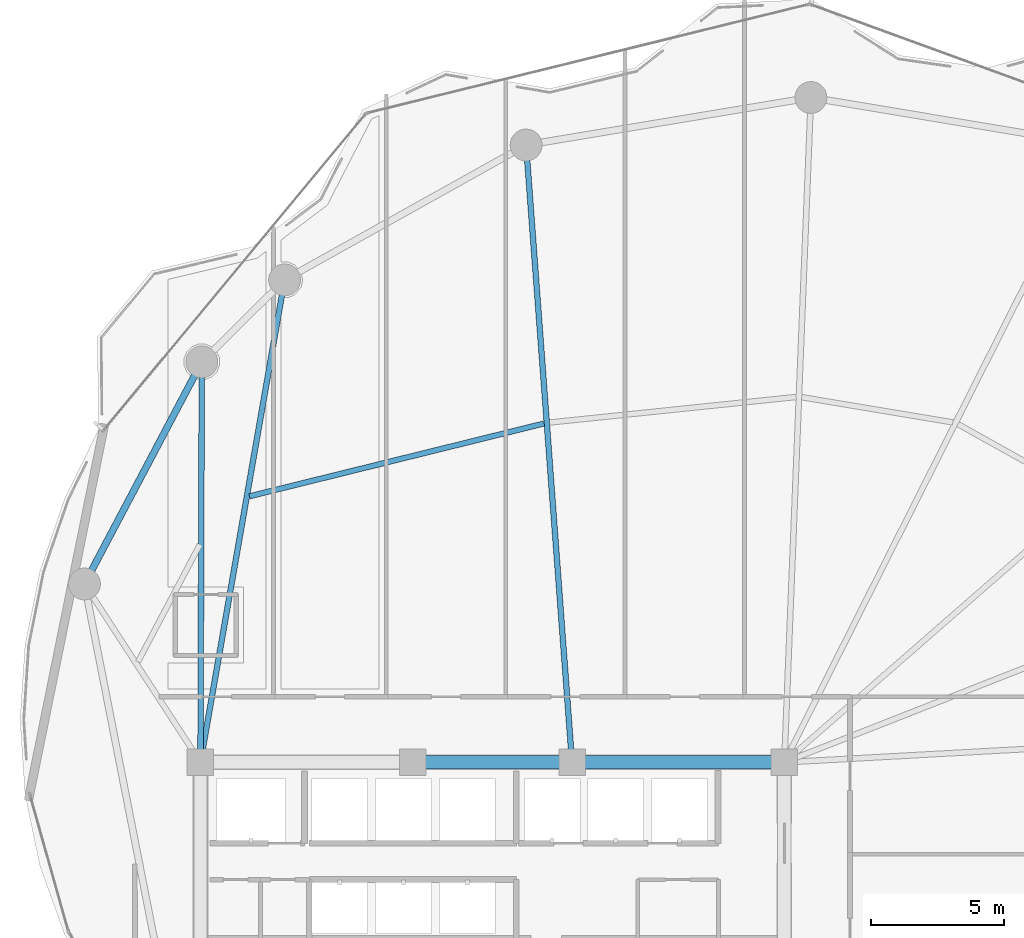
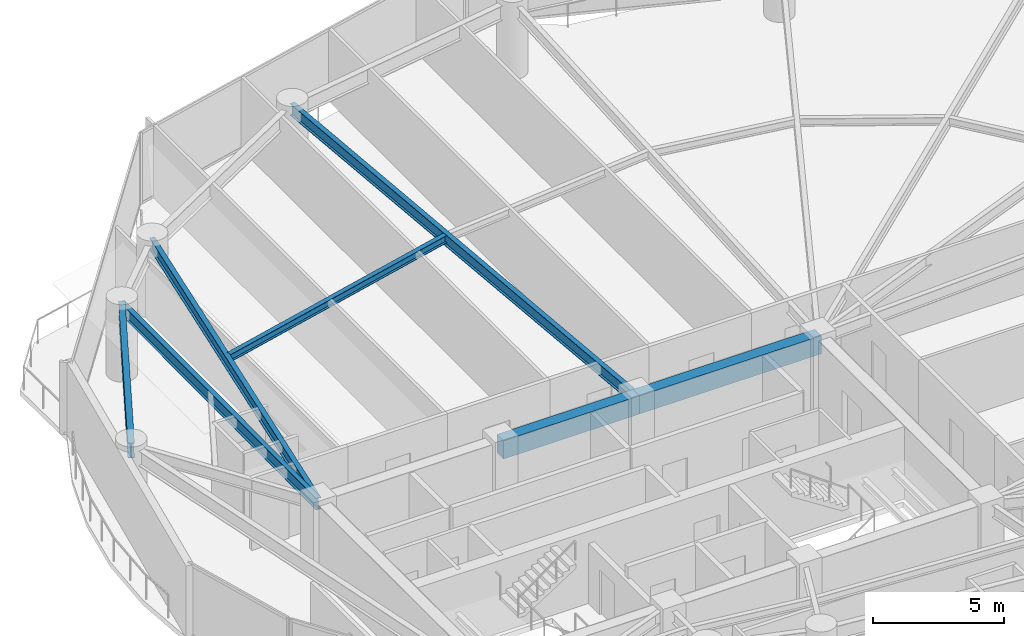
# One storey, part 8 of 28: 7 beams.
"""IFC4 building model written with IfcOpenShell, lengths in metres."""

from ifc_helpers import new_model, si_unit, direction, frame, origin, origin_2d, place, context, subcontext, project, spatial, rectangle, i_section, extrude, material, material_profile, profile_set, type_object, element, save


model = new_model("IFC4")

# Units and contexts
model_context = context("Model", 3, precision=1e-05, world=origin(), true_north=direction((0.0, 1.0)))
body_context = subcontext(model_context, "Body", "Model", "MODEL_VIEW")
ifc_project = project(units=[si_unit("LENGTHUNIT", "METRE"), si_unit("AREAUNIT", "SQUARE_METRE"), si_unit("VOLUMEUNIT", "CUBIC_METRE"), si_unit("PLANEANGLEUNIT", "RADIAN"), si_unit("MASSUNIT", "GRAM", prefix="KILO")], contexts=[model_context])

# Site, building, storey
site_placement = place(None, origin())
site = spatial("IfcSite", under=ifc_project, at=site_placement, CompositionType="ELEMENT")
building_placement = place(site_placement, origin())
building = spatial("IfcBuilding", under=site, at=building_placement, Name="Kazevale Care Tower and Concert Hall", CompositionType="ELEMENT")
storey_placement = place(building_placement, frame((0.0, 0.0, 102.60009765625)))
storey = spatial("IfcBuildingStorey", under=building, at=storey_placement, Name="L26", CompositionType="ELEMENT", Elevation=102.60009765625)

# Beams
ifc_material_1 = material(Name="Concrete C60", Category="concrete")
ifc_material_profile_1 = material_profile(ifc_material_1, rectangle(XDim=0.5, YDim=0.85009765625, at=origin_2d()), Name="RC-B500x850")
ifc_profile_set_1 = profile_set([ifc_material_profile_1], Name="Concrete C60")
beam_type_1 = type_object("IfcBeamType", Name="Core Coupling Beam RC500x850", PredefinedType="LINTEL", material=ifc_profile_set_1)
beam_1_placement = place(storey_placement, frame((44.0, 36.39990234375, 2.934814453125), z_axis=(-1.0, 0.0, 0.0), x_axis=(0.0, -1.0, 0.0)))
element("IfcBeam", 1, at=beam_1_placement, inside=storey, type_object=beam_type_1, Name="beam:L26:coretie:5", PredefinedType="LINTEL", context=body_context, shape_type="SweptSolid", body=[
    extrude(rectangle(XDim=0.5, YDim=0.85009765625, at=origin_2d()), origin(), (0.0, 0.0, 1.0), 8.0),
])
beam_2_placement = place(storey_placement, frame((36.0, 36.39990234375, 2.934814453125), z_axis=(-1.0, 0.0, 0.0), x_axis=(0.0, -1.0, 0.0)))
element("IfcBeam", 2, at=beam_2_placement, inside=storey, type_object=beam_type_1, Name="beam:L26:coretie:6", PredefinedType="LINTEL", context=body_context, shape_type="SweptSolid", body=[
    extrude(rectangle(XDim=0.5, YDim=0.85009765625, at=origin_2d()), origin(), (0.0, 0.0, 1.0), 6.0),
])
ifc_material_2 = material(Name="Steel ASTM A572 Gr 50", Category="steel")
ifc_material_profile_2 = material_profile(ifc_material_2, i_section(OverallWidth=0.2119140625, OverallDepth=0.5439453125, WebThickness=0.01318359375, FlangeThickness=0.021240234375, at=origin_2d()), Name="W530x123")
ifc_profile_set_2 = profile_set([ifc_material_profile_2], Name="Steel ASTM A572 Gr 50")
beam_type_2 = type_object("IfcBeamType", Name="Radial Floor Girder W530x123", PredefinedType="BEAM", material=ifc_profile_set_2)
beam_3_placement = place(storey_placement, frame((36.0, 36.39990234375, 3.087890625), z_axis=(-0.074170876808, 0.997245547011, 0.0), x_axis=(-0.997245547011, -0.074170876808, 0.0)))
element("IfcBeam", 3, at=beam_3_placement, inside=storey, type_object=beam_type_2, Name="beam:L26:rad:06", PredefinedType="BEAM", context=body_context, shape_type="SweptSolid", body=[
    extrude(i_section(OverallWidth=0.2119140625, OverallDepth=0.5439453125, WebThickness=0.01318359375, FlangeThickness=0.021240234375, at=origin_2d()), origin(), (0.0, 0.0, 1.0), 23.32421875),
])
beam_4_placement = place(storey_placement, frame((22.0, 36.39990234375, 3.087890625), z_axis=(0.171769935245, 0.985137091651, 0.0), x_axis=(-0.985137091651, 0.171769935245, 0.0)))
element("IfcBeam", 4, at=beam_4_placement, inside=storey, type_object=beam_type_2, Name="beam:L26:rad:07", PredefinedType="BEAM", context=body_context, shape_type="SweptSolid", body=[
    extrude(i_section(OverallWidth=0.2119140625, OverallDepth=0.5439453125, WebThickness=0.01318359375, FlangeThickness=0.021240234375, at=origin_2d()), origin(), (0.0, 0.0, 1.0), 18.454345703125),
])
beam_5_placement = place(storey_placement, frame((22.0, 36.39990234375, 3.087890625), z_axis=(0.003316650851, 0.999994499898, 0.0), x_axis=(-0.999994499898, 0.003316650851, 0.0)))
element("IfcBeam", 5, at=beam_5_placement, inside=storey, type_object=beam_type_2, Name="beam:L26:rad:08", PredefinedType="BEAM", context=body_context, shape_type="SweptSolid", body=[
    extrude(i_section(OverallWidth=0.2119140625, OverallDepth=0.5439453125, WebThickness=0.01318359375, FlangeThickness=0.021240234375, at=origin_2d()), origin(), (0.0, 0.0, 1.0), 15.090087890625),
])
ifc_material_profile_3 = material_profile(ifc_material_2, i_section(OverallWidth=0.205078125, OverallDepth=0.35400390625, WebThickness=0.009521484375, FlangeThickness=0.016845703125, at=origin_2d()), Name="W360x79")
ifc_profile_set_3 = profile_set([ifc_material_profile_3], Name="Steel ASTM A572 Gr 50")
beam_type_3 = type_object("IfcBeamType", Name="Secondary Floor Joist W360x79", PredefinedType="JOIST", material=ifc_profile_set_3)
beam_6_placement = place(storey_placement, frame((34.947021484375, 49.16796875, 3.182861328125), z_axis=(-0.970789504014, -0.239932779954, 0.0), x_axis=(0.239932779954, -0.970789504014, 0.0)))
element("IfcBeam", 6, at=beam_6_placement, inside=storey, type_object=beam_type_3, Name="beam:L26:joist:06", PredefinedType="JOIST", context=body_context, shape_type="SweptSolid", body=[
    extrude(i_section(OverallWidth=0.205078125, OverallDepth=0.35400390625, WebThickness=0.009521484375, FlangeThickness=0.016845703125, at=origin_2d()), origin(), (0.0, 0.0, 1.0), 11.43603515625),
])
ifc_material_profile_4 = material_profile(ifc_material_2, i_section(OverallWidth=0.256103515625, OverallDepth=0.693115234375, WebThickness=0.014404296875, FlangeThickness=0.023681640625, at=origin_2d()), Name="W690x170")
ifc_profile_set_4 = profile_set([ifc_material_profile_4], Name="Steel ASTM A572 Gr 50")
beam_type_4 = type_object("IfcBeamType", Name="Waist Ring Beam W690x170", PredefinedType="BEAM", material=ifc_profile_set_4)
beam_7_placement = place(storey_placement, frame((22.050048828125, 51.489990234375, 3.013427734375), z_axis=(-0.466984438127, -0.884265533959, 0.0), x_axis=(0.884265533959, -0.466984438127, 0.0)))
element("IfcBeam", 7, at=beam_7_placement, inside=storey, type_object=beam_type_4, Name="beam:L26:ring:08", PredefinedType="BEAM", context=body_context, shape_type="SweptSolid", body=[
    extrude(i_section(OverallWidth=0.256103515625, OverallDepth=0.693115234375, WebThickness=0.014404296875, FlangeThickness=0.023681640625, at=origin_2d()), origin(), (0.0, 0.0, 1.0), 9.46533203125),
])

save(model, "model.ifc")
